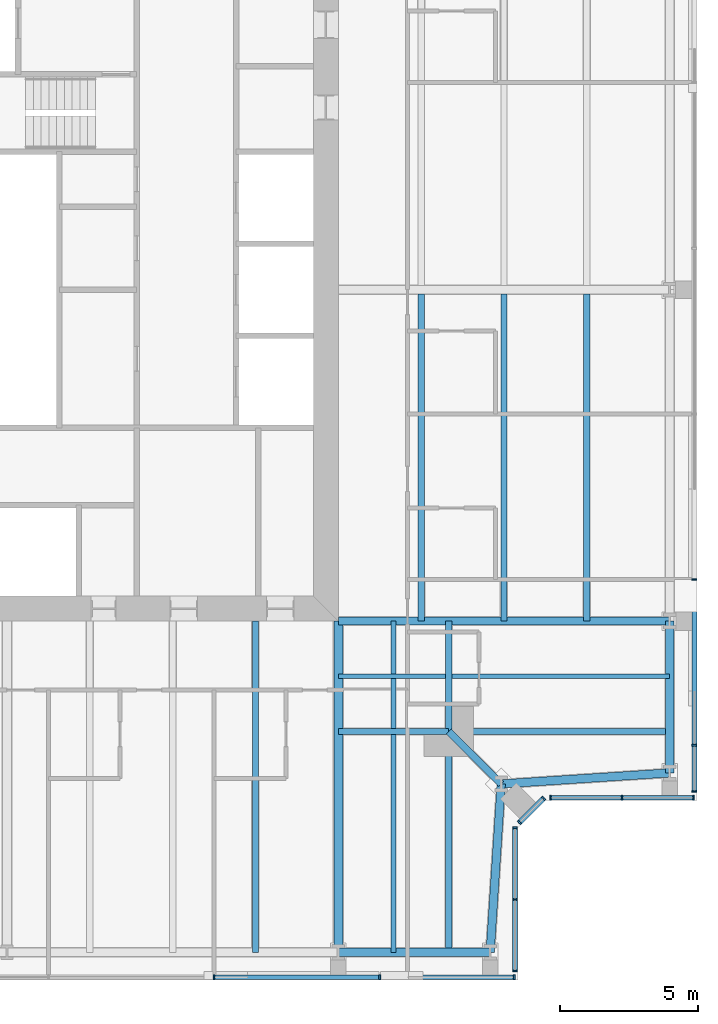
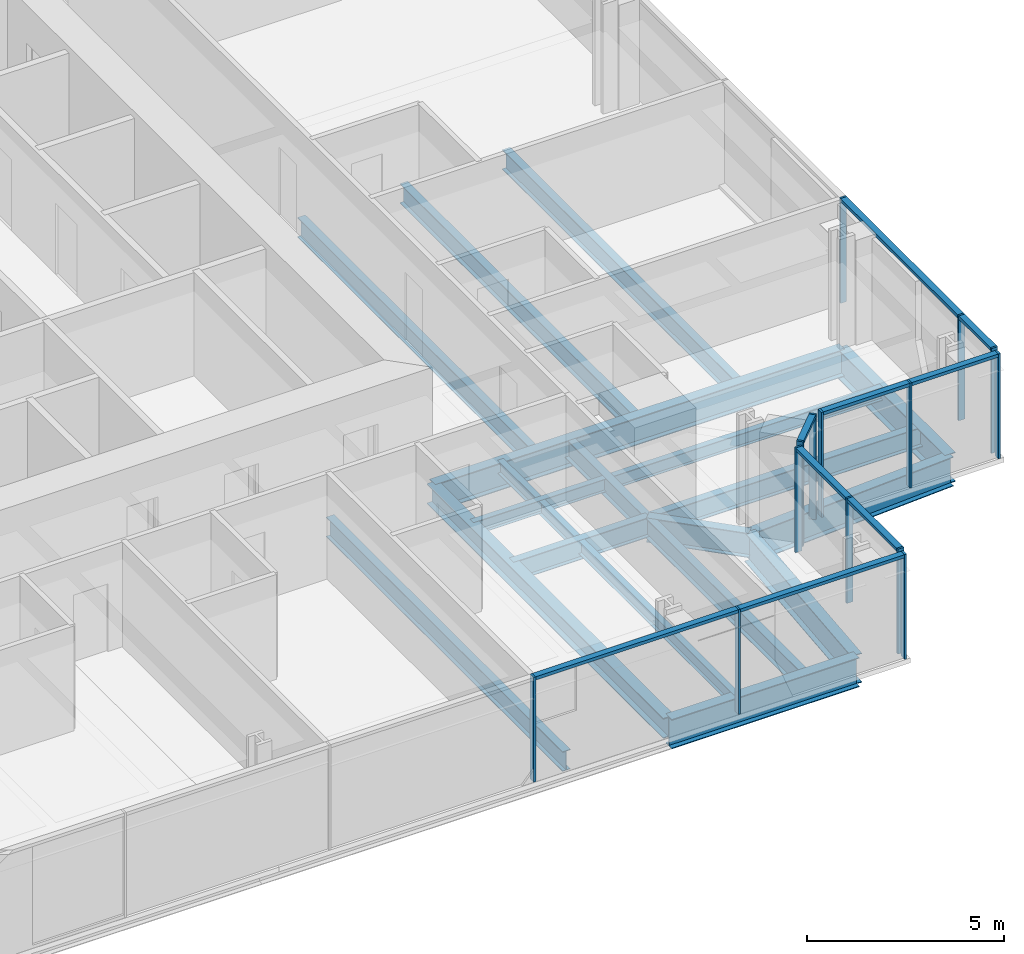
# One storey, part 5 of 18: 23 members, 20 beams, 5 elements without a shape of their own.
"""IFC4 building model written with IfcOpenShell, lengths in metres."""

from ifc_helpers import new_model, si_unit, direction, frame, origin, origin_2d, place, context, subcontext, project, spatial, rectangle, i_section, extrude, material, material_profile, profile_set, type_object, element, aggregate, save


model = new_model("IFC4")

# Units and contexts
model_context = context("Model", 3, precision=1e-05, world=origin(), true_north=direction((0.0, 1.0)))
body_context = subcontext(model_context, "Body", "Model", "MODEL_VIEW")
ifc_project = project(units=[si_unit("LENGTHUNIT", "METRE"), si_unit("AREAUNIT", "SQUARE_METRE"), si_unit("VOLUMEUNIT", "CUBIC_METRE"), si_unit("PLANEANGLEUNIT", "RADIAN"), si_unit("MASSUNIT", "GRAM", prefix="KILO")], contexts=[model_context])

# Site, building, storey
site_placement = place(None, origin())
site = spatial("IfcSite", under=ifc_project, at=site_placement, CompositionType="ELEMENT")
building_placement = place(site_placement, origin())
building = spatial("IfcBuilding", under=site, at=building_placement, Name="Fenwick Lantern Interchange", CompositionType="ELEMENT")
storey_placement = place(building_placement, frame((0.0, 0.0, 266.199951171875)))
storey = spatial("IfcBuildingStorey", under=building, at=storey_placement, Name="L63", CompositionType="ELEMENT", Elevation=266.199951171875)

# Beams
ifc_material_1 = material(Name="Steel ASTM A992 Grade 50", Category="steel")
ifc_material_profile_1 = material_profile(ifc_material_1, i_section(OverallWidth=0.3046875, OverallDepth=0.911865234375, WebThickness=0.015869140625, FlangeThickness=0.02392578125, at=origin_2d()), Name="W36X150")
ifc_profile_set_1 = profile_set([ifc_material_profile_1], Name="Steel ASTM A992 Grade 50")
beam_type_1 = type_object("IfcBeamType", Name="EDGE BEAM W36X150", PredefinedType="SPANDREL", material=ifc_profile_set_1)
beam_1_placement = place(storey_placement, frame((37.0, 1.0, -0.60595703125), z_axis=(1.0, 0.0, 0.0), x_axis=(0.0, 1.0, 0.0)))
element("IfcBeam", 1, at=beam_1_placement, inside=storey, type_object=beam_type_1, Name="L63/FR/S/EB4", PredefinedType="SPANDREL", context=body_context, shape_type="SweptSolid", body=[
    extrude(i_section(OverallWidth=0.3046875, OverallDepth=0.911865234375, WebThickness=0.015869140625, FlangeThickness=0.02392578125, at=origin_2d()), origin(), (0.0, 0.0, 1.0), 5.5),
])
for number, where, z_axis, x_axis, name in (
    (2, (42.5, 1.0, -0.60595703125), (0.065416293237, 0.997858060337, 0.0), (-0.997858060337, 0.065416293237, 0.0), "L63/FR/S/EBR1"),
    (3, (42.89990234375, 7.10009765625, -0.60595703125), (0.997858060337, 0.065416293237, 0.0), (-0.065416293237, 0.997858060337, 0.0), "L63/FR/S/EBR2"),
):
    element("IfcBeam", number, at=place(storey_placement, frame(where, z_axis=z_axis, x_axis=x_axis)), inside=storey, type_object=beam_type_1, Name=name, PredefinedType="SPANDREL", context=body_context, shape_type="SweptSolid", body=[
        extrude(i_section(OverallWidth=0.3046875, OverallDepth=0.911865234375, WebThickness=0.015869140625, FlangeThickness=0.02392578125, at=origin_2d()), origin(), (0.0, 0.0, 1.0), 6.11328125),
    ])
beam_2_placement = place(storey_placement, frame((49.0, 7.5, -0.60595703125), z_axis=(0.0, 1.0, 0.0), x_axis=(-1.0, 0.0, 0.0)))
element("IfcBeam", 4, at=beam_2_placement, inside=storey, type_object=beam_type_1, Name="L63/FR/E/EB1", PredefinedType="SPANDREL", context=body_context, shape_type="SweptSolid", body=[
    extrude(i_section(OverallWidth=0.3046875, OverallDepth=0.911865234375, WebThickness=0.015869140625, FlangeThickness=0.02392578125, at=origin_2d()), origin(), (0.0, 0.0, 1.0), 5.5),
])
ifc_material_profile_2 = material_profile(ifc_material_1, i_section(OverallWidth=0.22900390625, OverallDepth=0.612060546875, WebThickness=0.011962890625, FlangeThickness=0.01953125, at=origin_2d()), Name="W24X84")
ifc_profile_set_2 = profile_set([ifc_material_profile_2], Name="Steel ASTM A992 Grade 50")
beam_type_2 = type_object("IfcBeamType", Name="FLOOR BEAM W24X84", PredefinedType="BEAM", material=ifc_profile_set_2)
beam_3_placement = place(storey_placement, frame((34.0, 1.0, -0.4560546875), z_axis=(0.0, 1.0, 0.0), x_axis=(-1.0, 0.0, 0.0)))
element("IfcBeam", 5, at=beam_3_placement, inside=storey, type_object=beam_type_2, Name="L63/FR/S/R08", PredefinedType="BEAM", context=body_context, shape_type="SweptSolid", body=[
    extrude(i_section(OverallWidth=0.22900390625, OverallDepth=0.612060546875, WebThickness=0.011962890625, FlangeThickness=0.01953125, at=origin_2d()), origin(), (0.0, 0.0, 1.0), 12.0),
])
for number, where, z_axis, x_axis, name in (
    (6, (46.0, 13.0, -0.4560546875), (0.0, 1.0, 0.0), (-1.0, 0.0, 0.0), "L63/FR/E/B01"),
    (7, (43.0, 13.0, -0.4560546875), (0.0, 1.0, 0.0), (-1.0, 0.0, 0.0), "L63/FR/E/B02"),
    (8, (40.0, 13.0, -0.4560546875), (0.0, 1.0, 0.0), (-1.0, 0.0, 0.0), "L63/FR/E/B03"),
):
    element("IfcBeam", number, at=place(storey_placement, frame(where, z_axis=z_axis, x_axis=x_axis)), inside=storey, type_object=beam_type_2, Name=name, PredefinedType="BEAM", context=body_context, shape_type="SweptSolid", body=[
        extrude(i_section(OverallWidth=0.22900390625, OverallDepth=0.612060546875, WebThickness=0.011962890625, FlangeThickness=0.01953125, at=origin_2d()), origin(), (0.0, 0.0, 1.0), 11.844970703125),
    ])

# Curtain wall, members
ifc_material_2 = material(Name="Aluminium curtain wall frame", Category="aluminium")
curtain_wall_type = type_object("IfcCurtainWallType", Name="HOTEL CURTAIN WALL", PredefinedType="USERDEFINED", material=ifc_material_2)
curtain_wall_1_placement = place(storey_placement, origin())
curtain_wall_1 = element("IfcCurtainWall", 9, at=curtain_wall_1_placement, inside=storey, type_object=curtain_wall_type, Name="Hotel curtain wall 01", ObjectType="HOTEL CURTAIN WALL", PredefinedType="USERDEFINED")
ifc_material_3 = material(Name="Aluminium extrusion", Category="aluminium")
ifc_material_profile_3 = material_profile(ifc_material_3, rectangle(XDim=0.179931640625, YDim=0.06005859375, at=origin_2d()), Name="HOTEL CURTAIN WALL MULLION 60 X 180")
ifc_profile_set_3 = profile_set([ifc_material_profile_3], Name="Aluminium extrusion")
member_type_1 = type_object("IfcMemberType", Name="HOTEL CURTAIN WALL MULLION 60 X 180", PredefinedType="MULLION", material=ifc_profile_set_3)
member_1_placement = place(storey_placement, frame((32.5, 0.10009765625, 0.0), z_axis=(0.0, 0.0, 1.0), x_axis=(0.0, 1.0, 0.0)))
member_1 = element("IfcMember", 10, at=member_1_placement, type_object=member_type_1, Name="L63/CW/01/M05", PredefinedType="MULLION", context=body_context, shape_type="SweptSolid", body=[
    extrude(rectangle(XDim=0.179931640625, YDim=0.06005859375, at=origin_2d()), origin(), (0.0, 0.0, 1.0), 3.25),
])
member_2_placement = place(storey_placement, frame((38.5, 0.10009765625, 0.0), z_axis=(0.0, 0.0, 1.0), x_axis=(0.0, 1.0, 0.0)))
member_2 = element("IfcMember", 11, at=member_2_placement, type_object=member_type_1, Name="L63/CW/01/M06", PredefinedType="MULLION", context=body_context, shape_type="SweptSolid", body=[
    extrude(rectangle(XDim=0.179931640625, YDim=0.06005859375, at=origin_2d()), origin(), (0.0, 0.0, 1.0), 3.25),
])
member_3_placement = place(storey_placement, frame((43.3701171875, 0.10009765625, 0.0), z_axis=(0.0, 0.0, 1.0), x_axis=(0.0, 1.0, 0.0)))
member_3 = element("IfcMember", 12, at=member_3_placement, type_object=member_type_1, Name="L63/CW/01/M07", PredefinedType="MULLION", context=body_context, shape_type="SweptSolid", body=[
    extrude(rectangle(XDim=0.179931640625, YDim=0.06005859375, at=origin_2d()), origin(), (0.0, 0.0, 1.0), 3.25),
])

curtain_wall_2_placement = place(storey_placement, origin())
curtain_wall_2 = element("IfcCurtainWall", 13, at=curtain_wall_2_placement, inside=storey, type_object=curtain_wall_type, Name="Hotel curtain wall 02", ObjectType="HOTEL CURTAIN WALL", PredefinedType="USERDEFINED")
member_4_placement = place(storey_placement, frame((43.39990234375, 0.330078125, 0.0), z_axis=(0.0, 0.0, 1.0), x_axis=(-1.0, 0.0, 0.0)))
member_4 = element("IfcMember", 14, at=member_4_placement, type_object=member_type_1, Name="L63/CW/02/M00", PredefinedType="MULLION", context=body_context, shape_type="SweptSolid", body=[
    extrude(rectangle(XDim=0.179931640625, YDim=0.06005859375, at=origin_2d()), origin(), (0.0, 0.0, 1.0), 3.25),
])
member_5_placement = place(storey_placement, frame((43.39990234375, 2.920654296875, 0.0), z_axis=(0.0, 0.0, 1.0), x_axis=(-1.0, 0.0, 0.0)))
member_5 = element("IfcMember", 15, at=member_5_placement, type_object=member_type_1, Name="L63/CW/02/M01", PredefinedType="MULLION", context=body_context, shape_type="SweptSolid", body=[
    extrude(rectangle(XDim=0.179931640625, YDim=0.06005859375, at=origin_2d()), origin(), (0.0, 0.0, 1.0), 3.25),
])
member_6_placement = place(storey_placement, frame((43.39990234375, 5.511474609375, 0.0), z_axis=(0.0, 0.0, 1.0), x_axis=(-1.0, 0.0, 0.0)))
member_6 = element("IfcMember", 16, at=member_6_placement, type_object=member_type_1, Name="L63/CW/02/M02", PredefinedType="MULLION", context=body_context, shape_type="SweptSolid", body=[
    extrude(rectangle(XDim=0.179931640625, YDim=0.06005859375, at=origin_2d()), origin(), (0.0, 0.0, 1.0), 3.25),
])

curtain_wall_3_placement = place(storey_placement, origin())
curtain_wall_3 = element("IfcCurtainWall", 17, at=curtain_wall_3_placement, inside=storey, type_object=curtain_wall_type, Name="Hotel curtain wall 03", ObjectType="HOTEL CURTAIN WALL", PredefinedType="USERDEFINED")
member_7_placement = place(storey_placement, frame((43.562744140625, 5.7041015625, 0.0), z_axis=(0.0, 0.0, 1.0), x_axis=(-0.707106781187, 0.707106781187, 0.0)))
member_7 = element("IfcMember", 18, at=member_7_placement, type_object=member_type_1, Name="L63/CW/03/M00", PredefinedType="MULLION", context=body_context, shape_type="SweptSolid", body=[
    extrude(rectangle(XDim=0.179931640625, YDim=0.06005859375, at=origin_2d()), origin(), (0.0, 0.0, 1.0), 3.25),
])
member_8_placement = place(storey_placement, frame((44.437255859375, 6.578857421875, 0.0), z_axis=(0.0, 0.0, 1.0), x_axis=(-0.707106781187, 0.707106781187, 0.0)))
member_8 = element("IfcMember", 19, at=member_8_placement, type_object=member_type_1, Name="L63/CW/03/M01", PredefinedType="MULLION", context=body_context, shape_type="SweptSolid", body=[
    extrude(rectangle(XDim=0.179931640625, YDim=0.06005859375, at=origin_2d()), origin(), (0.0, 0.0, 1.0), 3.25),
])

curtain_wall_4_placement = place(storey_placement, origin())
curtain_wall_4 = element("IfcCurtainWall", 20, at=curtain_wall_4_placement, inside=storey, type_object=curtain_wall_type, Name="Hotel curtain wall 04", ObjectType="HOTEL CURTAIN WALL", PredefinedType="USERDEFINED")
member_9_placement = place(storey_placement, frame((44.6884765625, 6.60009765625, 0.0), z_axis=(0.0, 0.0, 1.0), x_axis=(0.0, 1.0, 0.0)))
member_9 = element("IfcMember", 21, at=member_9_placement, type_object=member_type_1, Name="L63/CW/04/M00", PredefinedType="MULLION", context=body_context, shape_type="SweptSolid", body=[
    extrude(rectangle(XDim=0.179931640625, YDim=0.06005859375, at=origin_2d()), origin(), (0.0, 0.0, 1.0), 3.25),
])
member_10_placement = place(storey_placement, frame((47.279296875, 6.60009765625, 0.0), z_axis=(0.0, 0.0, 1.0), x_axis=(0.0, 1.0, 0.0)))
member_10 = element("IfcMember", 22, at=member_10_placement, type_object=member_type_1, Name="L63/CW/04/M01", PredefinedType="MULLION", context=body_context, shape_type="SweptSolid", body=[
    extrude(rectangle(XDim=0.179931640625, YDim=0.06005859375, at=origin_2d()), origin(), (0.0, 0.0, 1.0), 3.25),
])
member_11_placement = place(storey_placement, frame((49.8701171875, 6.60009765625, 0.0), z_axis=(0.0, 0.0, 1.0), x_axis=(0.0, 1.0, 0.0)))
member_11 = element("IfcMember", 23, at=member_11_placement, type_object=member_type_1, Name="L63/CW/04/M02", PredefinedType="MULLION", context=body_context, shape_type="SweptSolid", body=[
    extrude(rectangle(XDim=0.179931640625, YDim=0.06005859375, at=origin_2d()), origin(), (0.0, 0.0, 1.0), 3.25),
])

curtain_wall_5_placement = place(storey_placement, origin())
curtain_wall_5 = element("IfcCurtainWall", 24, at=curtain_wall_5_placement, inside=storey, type_object=curtain_wall_type, Name="Hotel curtain wall 05", ObjectType="HOTEL CURTAIN WALL", PredefinedType="USERDEFINED")
member_12_placement = place(storey_placement, frame((49.89990234375, 6.830078125, 0.0), z_axis=(0.0, 0.0, 1.0), x_axis=(-1.0, 0.0, 0.0)))
member_12 = element("IfcMember", 25, at=member_12_placement, type_object=member_type_1, Name="L63/CW/05/M00", PredefinedType="MULLION", context=body_context, shape_type="SweptSolid", body=[
    extrude(rectangle(XDim=0.179931640625, YDim=0.06005859375, at=origin_2d()), origin(), (0.0, 0.0, 1.0), 3.25),
])
member_13_placement = place(storey_placement, frame((49.89990234375, 8.5, 0.0), z_axis=(0.0, 0.0, 1.0), x_axis=(-1.0, 0.0, 0.0)))
member_13 = element("IfcMember", 26, at=member_13_placement, type_object=member_type_1, Name="L63/CW/05/M01", PredefinedType="MULLION", context=body_context, shape_type="SweptSolid", body=[
    extrude(rectangle(XDim=0.179931640625, YDim=0.06005859375, at=origin_2d()), origin(), (0.0, 0.0, 1.0), 3.25),
])
member_14_placement = place(storey_placement, frame((49.89990234375, 14.5, 0.0), z_axis=(0.0, 0.0, 1.0), x_axis=(-1.0, 0.0, 0.0)))
member_14 = element("IfcMember", 27, at=member_14_placement, type_object=member_type_1, Name="L63/CW/05/M02", PredefinedType="MULLION", context=body_context, shape_type="SweptSolid", body=[
    extrude(rectangle(XDim=0.179931640625, YDim=0.06005859375, at=origin_2d()), origin(), (0.0, 0.0, 1.0), 3.25),
])

# Member
ifc_material_profile_4 = material_profile(ifc_material_3, rectangle(XDim=0.179931640625, YDim=0.10009765625, at=origin_2d()), Name="HOTEL CURTAIN WALL TRANSOM 100 X 180")
ifc_profile_set_4 = profile_set([ifc_material_profile_4], Name="Aluminium extrusion")
member_type_2 = type_object("IfcMemberType", Name="HOTEL CURTAIN WALL TRANSOM 100 X 180", PredefinedType="MULLION", material=ifc_profile_set_4)
member_15_placement = place(storey_placement, frame((32.530029296875, 0.10009765625, 3.199951171875), z_axis=(1.0, 0.0, 0.0), x_axis=(0.0, 1.0, 0.0)))
member_15 = element("IfcMember", 28, at=member_15_placement, type_object=member_type_2, Name="L63/CW/01/T05", PredefinedType="MULLION", context=body_context, shape_type="SweptSolid", body=[
    extrude(rectangle(XDim=0.179931640625, YDim=0.10009765625, at=origin_2d()), origin(), (0.0, 0.0, 1.0), 5.93994140625),
])

member_16_placement = place(storey_placement, frame((38.530029296875, 0.10009765625, 3.199951171875), z_axis=(1.0, 0.0, 0.0), x_axis=(0.0, 1.0, 0.0)))
member_16 = element("IfcMember", 29, at=member_16_placement, type_object=member_type_2, Name="L63/CW/01/T06", PredefinedType="MULLION", context=body_context, shape_type="SweptSolid", body=[
    extrude(rectangle(XDim=0.179931640625, YDim=0.10009765625, at=origin_2d()), origin(), (0.0, 0.0, 1.0), 4.81005859375),
])

aggregate(curtain_wall_1, [member_1, member_2, member_3, member_15, member_16])

member_17_placement = place(storey_placement, frame((43.39990234375, 0.360107421875, 3.199951171875), z_axis=(0.0, 1.0, 0.0), x_axis=(-1.0, 0.0, 0.0)))
member_17 = element("IfcMember", 30, at=member_17_placement, type_object=member_type_2, Name="L63/CW/02/T00", PredefinedType="MULLION", context=body_context, shape_type="SweptSolid", body=[
    extrude(rectangle(XDim=0.179931640625, YDim=0.10009765625, at=origin_2d()), origin(), (0.0, 0.0, 1.0), 2.530517578125),
])

member_18_placement = place(storey_placement, frame((43.39990234375, 2.95068359375, 3.199951171875), z_axis=(0.0, 1.0, 0.0), x_axis=(-1.0, 0.0, 0.0)))
member_18 = element("IfcMember", 31, at=member_18_placement, type_object=member_type_2, Name="L63/CW/02/T01", PredefinedType="MULLION", context=body_context, shape_type="SweptSolid", body=[
    extrude(rectangle(XDim=0.179931640625, YDim=0.10009765625, at=origin_2d()), origin(), (0.0, 0.0, 1.0), 2.53076171875),
])

aggregate(curtain_wall_2, [member_4, member_5, member_6, member_17, member_18])

member_19_placement = place(storey_placement, frame((43.583740234375, 5.725341796875, 3.199951171875), z_axis=(0.707210470133, 0.707003077033, 0.0), x_axis=(-0.707003077033, 0.707210470133, 0.0)))
member_19 = element("IfcMember", 32, at=member_19_placement, type_object=member_type_2, Name="L63/CW/03/T00", PredefinedType="MULLION", context=body_context, shape_type="SweptSolid", body=[
    extrude(rectangle(XDim=0.179931640625, YDim=0.10009765625, at=origin_2d()), origin(), (0.0, 0.0, 1.0), 1.17724609375),
])

aggregate(curtain_wall_3, [member_7, member_8, member_19])

member_20_placement = place(storey_placement, frame((44.718505859375, 6.60009765625, 3.199951171875), z_axis=(1.0, 0.0, 0.0), x_axis=(0.0, 1.0, 0.0)))
member_20 = element("IfcMember", 33, at=member_20_placement, type_object=member_type_2, Name="L63/CW/04/T00", PredefinedType="MULLION", context=body_context, shape_type="SweptSolid", body=[
    extrude(rectangle(XDim=0.179931640625, YDim=0.10009765625, at=origin_2d()), origin(), (0.0, 0.0, 1.0), 2.53076171875),
])

member_21_placement = place(storey_placement, frame((47.309326171875, 6.60009765625, 3.199951171875), z_axis=(1.0, 0.0, 0.0), x_axis=(0.0, 1.0, 0.0)))
member_21 = element("IfcMember", 34, at=member_21_placement, type_object=member_type_2, Name="L63/CW/04/T01", PredefinedType="MULLION", context=body_context, shape_type="SweptSolid", body=[
    extrude(rectangle(XDim=0.179931640625, YDim=0.10009765625, at=origin_2d()), origin(), (0.0, 0.0, 1.0), 2.53076171875),
])

aggregate(curtain_wall_4, [member_9, member_10, member_11, member_20, member_21])

member_22_placement = place(storey_placement, frame((49.89990234375, 6.860107421875, 3.199951171875), z_axis=(0.0, 1.0, 0.0), x_axis=(-1.0, 0.0, 0.0)))
member_22 = element("IfcMember", 35, at=member_22_placement, type_object=member_type_2, Name="L63/CW/05/T00", PredefinedType="MULLION", context=body_context, shape_type="SweptSolid", body=[
    extrude(rectangle(XDim=0.179931640625, YDim=0.10009765625, at=origin_2d()), origin(), (0.0, 0.0, 1.0), 1.60986328125),
])

member_23_placement = place(storey_placement, frame((49.89990234375, 8.530029296875, 3.199951171875), z_axis=(0.0, 1.0, 0.0), x_axis=(-1.0, 0.0, 0.0)))
member_23 = element("IfcMember", 36, at=member_23_placement, type_object=member_type_2, Name="L63/CW/05/T01", PredefinedType="MULLION", context=body_context, shape_type="SweptSolid", body=[
    extrude(rectangle(XDim=0.179931640625, YDim=0.10009765625, at=origin_2d()), origin(), (0.0, 0.0, 1.0), 5.93994140625),
])

aggregate(curtain_wall_5, [member_12, member_13, member_14, member_22, member_23])

# Beams
ifc_material_profile_5 = material_profile(ifc_material_1, i_section(OverallWidth=0.177734375, OverallDepth=0.406494140625, WebThickness=0.0078125, FlangeThickness=0.012939453125, at=origin_2d()), Name="W16X40")
ifc_profile_set_5 = profile_set([ifc_material_profile_5], Name="Steel ASTM A992 Grade 50")
beam_type_3 = type_object("IfcBeamType", Name="INFILL BEAM W16X40", PredefinedType="JOIST", material=ifc_profile_set_5)
beam_4_placement = place(storey_placement, frame((49.0, 11.0, -0.353271484375), z_axis=(-1.0, 0.0, 0.0), x_axis=(0.0, -1.0, 0.0)))
element("IfcBeam", 37, at=beam_4_placement, inside=storey, type_object=beam_type_3, Name="L63/FR/E/J1", PredefinedType="JOIST", context=body_context, shape_type="SweptSolid", body=[
    extrude(i_section(OverallWidth=0.177734375, OverallDepth=0.406494140625, WebThickness=0.0078125, FlangeThickness=0.012939453125, at=origin_2d()), origin(), (0.0, 0.0, 1.0), 7.885498046875),
])
beam_5_placement = place(storey_placement, frame((40.885498046875, 11.0, -0.353271484375), z_axis=(-1.0, 0.0, 0.0), x_axis=(0.0, -1.0, 0.0)))
element("IfcBeam", 38, at=beam_5_placement, inside=storey, type_object=beam_type_3, Name="L63/FR/E/J2", PredefinedType="JOIST", context=body_context, shape_type="SweptSolid", body=[
    extrude(i_section(OverallWidth=0.177734375, OverallDepth=0.406494140625, WebThickness=0.0078125, FlangeThickness=0.012939453125, at=origin_2d()), origin(), (0.0, 0.0, 1.0), 3.885498046875),
])
beam_6_placement = place(storey_placement, frame((39.0, 1.0, -0.353271484375), z_axis=(0.0, 1.0, 0.0), x_axis=(-1.0, 0.0, 0.0)))
element("IfcBeam", 39, at=beam_6_placement, inside=storey, type_object=beam_type_3, Name="L63/FR/E/J3", PredefinedType="JOIST", context=body_context, shape_type="SweptSolid", body=[
    extrude(i_section(OverallWidth=0.177734375, OverallDepth=0.406494140625, WebThickness=0.0078125, FlangeThickness=0.012939453125, at=origin_2d()), origin(), (0.0, 0.0, 1.0), 7.885498046875),
])
beam_7_placement = place(storey_placement, frame((39.0, 9.114501953125, -0.353271484375), z_axis=(0.0, 1.0, 0.0), x_axis=(-1.0, 0.0, 0.0)))
element("IfcBeam", 40, at=beam_7_placement, inside=storey, type_object=beam_type_3, Name="L63/FR/E/J4", PredefinedType="JOIST", context=body_context, shape_type="SweptSolid", body=[
    extrude(i_section(OverallWidth=0.177734375, OverallDepth=0.406494140625, WebThickness=0.0078125, FlangeThickness=0.012939453125, at=origin_2d()), origin(), (0.0, 0.0, 1.0), 1.796630859375),
])
beam_8_placement = place(storey_placement, frame((39.0, 11.0888671875, -0.353271484375), z_axis=(0.0, 1.0, 0.0), x_axis=(-1.0, 0.0, 0.0)))
element("IfcBeam", 41, at=beam_8_placement, inside=storey, type_object=beam_type_3, Name="L63/FR/E/J5", PredefinedType="JOIST", context=body_context, shape_type="SweptSolid", body=[
    extrude(i_section(OverallWidth=0.177734375, OverallDepth=0.406494140625, WebThickness=0.0078125, FlangeThickness=0.012939453125, at=origin_2d()), origin(), (0.0, 0.0, 1.0), 1.9111328125),
])
ifc_material_profile_6 = material_profile(ifc_material_1, i_section(OverallWidth=0.22900390625, OverallDepth=0.612060546875, WebThickness=0.011962890625, FlangeThickness=0.01953125, at=origin_2d()), Name="W24X84")
ifc_profile_set_6 = profile_set([ifc_material_profile_6], Name="Steel ASTM A992 Grade 50")
beam_type_4 = type_object("IfcBeamType", Name="MEGA COLUMN BEAM W24X84", PredefinedType="BEAM", material=ifc_profile_set_6)
for number, where, z_axis, x_axis, name in (
    (42, (41.0, 9.0, -0.4560546875), (1.0, 0.0, 0.0), (0.0, 1.0, 0.0), "L63/FR/E/MB1"),
    (43, (41.0, 9.0, -0.4560546875), (0.0, -1.0, 0.0), (1.0, 0.0, 0.0), "L63/FR/E/MB2"),
):
    element("IfcBeam", number, at=place(storey_placement, frame(where, z_axis=z_axis, x_axis=x_axis)), inside=storey, type_object=beam_type_4, Name=name, PredefinedType="BEAM", context=body_context, shape_type="SweptSolid", body=[
        extrude(i_section(OverallWidth=0.22900390625, OverallDepth=0.612060546875, WebThickness=0.011962890625, FlangeThickness=0.01953125, at=origin_2d()), origin(), (0.0, 0.0, 1.0), 8.0),
    ])
for number, where, z_axis, x_axis, name in (
    (44, (41.0, 9.0, -0.4560546875), (0.0, 1.0, 0.0), (-1.0, 0.0, 0.0), "L63/FR/E/MB3"),
    (45, (41.0, 9.0, -0.4560546875), (-1.0, 0.0, 0.0), (0.0, -1.0, 0.0), "L63/FR/E/MB4"),
):
    element("IfcBeam", number, at=place(storey_placement, frame(where, z_axis=z_axis, x_axis=x_axis)), inside=storey, type_object=beam_type_4, Name=name, PredefinedType="BEAM", context=body_context, shape_type="SweptSolid", body=[
        extrude(i_section(OverallWidth=0.22900390625, OverallDepth=0.612060546875, WebThickness=0.011962890625, FlangeThickness=0.01953125, at=origin_2d()), origin(), (0.0, 0.0, 1.0), 4.0),
    ])
ifc_material_profile_7 = material_profile(ifc_material_1, i_section(OverallWidth=0.32763671875, OverallDepth=0.622314453125, WebThickness=0.015380859375, FlangeThickness=0.0244140625, at=origin_2d()), Name="W24X131")
ifc_profile_set_7 = profile_set([ifc_material_profile_7], Name="Steel ASTM A992 Grade 50")
beam_type_5 = type_object("IfcBeamType", Name="MOMENT-CONNECTED GIRDER W24X131", PredefinedType="BEAM", material=ifc_profile_set_7)
beam_9_placement = place(storey_placement, frame((37.0, 1.0, -0.461181640625), z_axis=(0.0, 1.0, 0.0), x_axis=(-1.0, 0.0, 0.0)))
element("IfcBeam", 46, at=beam_9_placement, inside=storey, type_object=beam_type_5, Name="L63/FR/S/R09", PredefinedType="BEAM", context=body_context, shape_type="SweptSolid", body=[
    extrude(i_section(OverallWidth=0.32763671875, OverallDepth=0.622314453125, WebThickness=0.015380859375, FlangeThickness=0.0244140625, at=origin_2d()), origin(), (0.0, 0.0, 1.0), 12.0),
])
ifc_material_profile_8 = material_profile(ifc_material_1, i_section(OverallWidth=0.2919921875, OverallDepth=0.845703125, WebThickness=0.015380859375, FlangeThickness=0.0244140625, at=origin_2d()), Name="W33X141")
ifc_profile_set_8 = profile_set([ifc_material_profile_8], Name="Steel ASTM A992 Grade 50")
beam_type_6 = type_object("IfcBeamType", Name="MOMENT-CONNECTED GIRDER W33X141", PredefinedType="BEAM", material=ifc_profile_set_8)
beam_10_placement = place(storey_placement, frame((49.0, 13.0, -0.57275390625), z_axis=(-1.0, 0.0, 0.0), x_axis=(0.0, -1.0, 0.0)))
element("IfcBeam", 47, at=beam_10_placement, inside=storey, type_object=beam_type_6, Name="L63/FR/E/R01", PredefinedType="BEAM", context=body_context, shape_type="SweptSolid", body=[
    extrude(i_section(OverallWidth=0.2919921875, OverallDepth=0.845703125, WebThickness=0.015380859375, FlangeThickness=0.0244140625, at=origin_2d()), origin(), (0.0, 0.0, 1.0), 12.0),
])
ifc_material_profile_9 = material_profile(ifc_material_1, i_section(OverallWidth=0.2666015625, OverallDepth=0.7568359375, WebThickness=0.013916015625, FlangeThickness=0.019287109375, at=origin_2d()), Name="W30X108")
ifc_profile_set_9 = profile_set([ifc_material_profile_9], Name="Steel ASTM A992 Grade 50")
beam_type_7 = type_object("IfcBeamType", Name="NOTCH BEAM W30X108", PredefinedType="BEAM", material=ifc_profile_set_9)
beam_11_placement = place(storey_placement, frame((41.0, 9.0, -0.5283203125), z_axis=(0.707106781187, -0.707106781187, 0.0), x_axis=(0.707106781187, 0.707106781187, 0.0)))
element("IfcBeam", 48, at=beam_11_placement, inside=storey, type_object=beam_type_7, Name="L63/FR/E/TG", PredefinedType="BEAM", context=body_context, shape_type="SweptSolid", body=[
    extrude(i_section(OverallWidth=0.2666015625, OverallDepth=0.7568359375, WebThickness=0.013916015625, FlangeThickness=0.019287109375, at=origin_2d()), origin(), (0.0, 0.0, 1.0), 2.686767578125),
])

save(model, "model.ifc")
